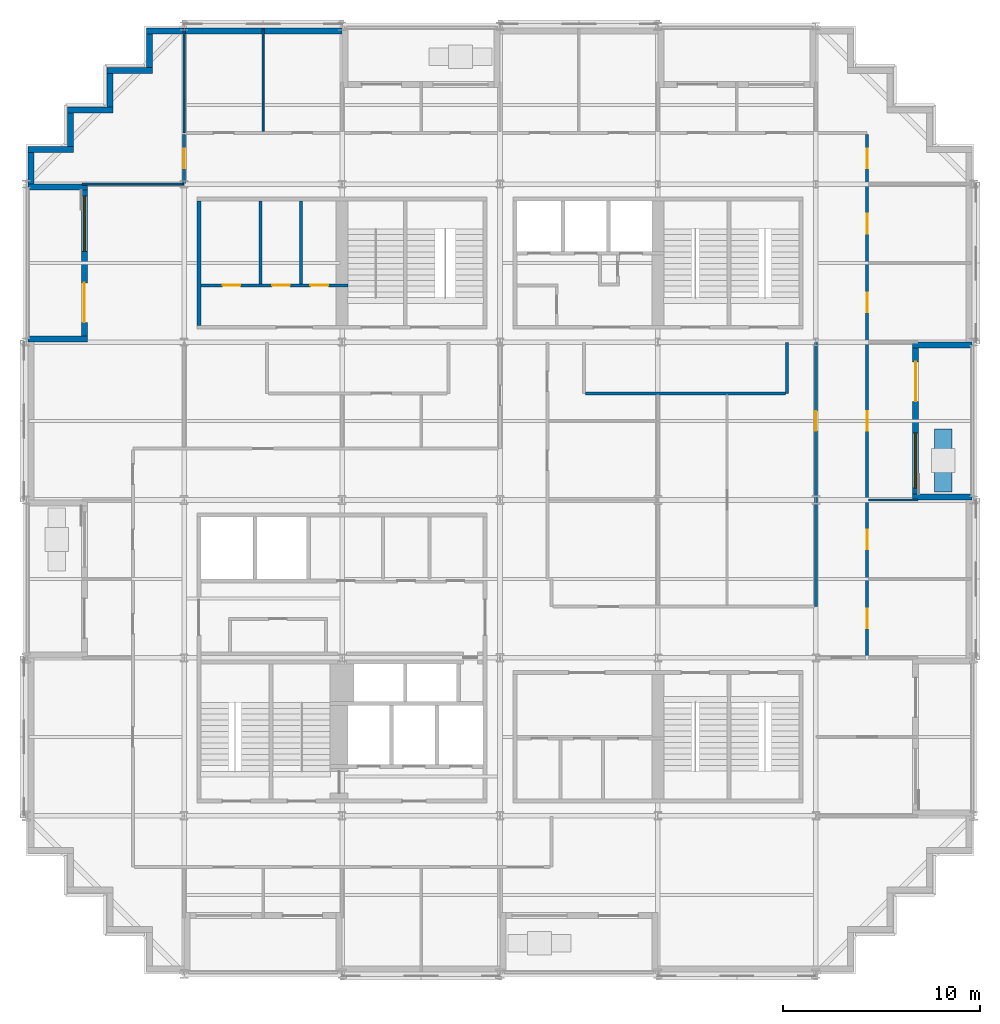
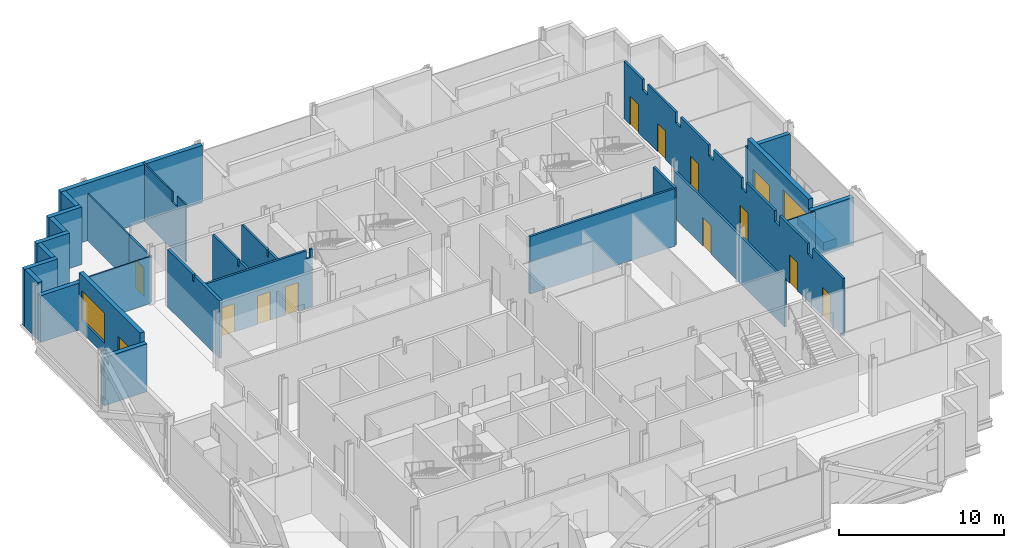
# One storey, part 9 of 15: 28 walls, 13 doors, 2 windows, 15 openings.
"""IFC4 building model written with IfcOpenShell, lengths in metres."""

from ifc_helpers import new_model, si_unit, direction, frame, frame_2d, origin, place, context, subcontext, project, spatial, polyline, rectangle, outline, extrude, material, layer, layer_set, type_object, element, fill, save


model = new_model("IFC4")

# Units and contexts
model_context = context("Model", 3, precision=1e-05, world=origin(), true_north=direction((0.0, 1.0)))
body_context = subcontext(model_context, "Body", "Model", "MODEL_VIEW")
ifc_project = project(units=[si_unit("LENGTHUNIT", "METRE"), si_unit("AREAUNIT", "SQUARE_METRE"), si_unit("VOLUMEUNIT", "CUBIC_METRE"), si_unit("PLANEANGLEUNIT", "RADIAN"), si_unit("MASSUNIT", "GRAM", prefix="KILO")], contexts=[model_context])

# Site, building, storey
site_placement = place(None, origin())
site = spatial("IfcSite", under=ifc_project, at=site_placement, CompositionType="ELEMENT")
building_placement = place(site_placement, origin())
building = spatial("IfcBuilding", under=site, at=building_placement, Name="Immortelle Media Tower", CompositionType="ELEMENT")
storey_placement = place(building_placement, frame((0.0, 0.0, 105.199951171875)))
storey = spatial("IfcBuildingStorey", under=building, at=storey_placement, Name="L20", CompositionType="ELEMENT", Elevation=105.199951171875)

# Wall, openings, doors
ifc_material_1 = material(Name="Fire-rated gypsum board", Category="gypsum")
ifc_layer_1 = layer(ifc_material_1, 0.02490234375)
ifc_material_2 = material(Name="Steel ASTM A653 SS Gr 50 stud frame with mineral wool", Category="steel")
ifc_layer_2 = layer(ifc_material_2, 0.10009765625)
ifc_layer_3 = layer(ifc_material_1, 0.02490234375)
ifc_layer_set_1 = layer_set([ifc_layer_1, ifc_layer_2, ifc_layer_3], Name="Steel ASTM A653 SS Gr 50 stud frame with mineral wool")
wall_type_1 = type_object("IfcWallType", Name="Core partition 150", PredefinedType="PARTITIONING", material=ifc_layer_set_1)
wall_1_placement = place(storey_placement, frame((8.85009765625, 34.875, 0.0), z_axis=(0.0, 0.0, 1.0), x_axis=(1.0, 0.0, 0.0)))
wall_1 = element("IfcWall", 1, at=wall_1_placement, inside=storey, type_object=wall_type_1, Name="Core partition NW", PredefinedType="PARTITIONING", context=body_context, shape_type="SweptSolid", body=[
    extrude(outline(polyline([(0.0, 0.0), (7.449951171875, 0.0), (7.449951171875, 4.25), (7.26953125, 4.25), (7.2685546875, 3.632080078125), (7.031494140625, 3.632080078125), (7.030517578125, 4.25), (0.0, 4.25), (0.0, 0.0)])), frame((0.0, 0.074951171875, 0.0), z_axis=(0.0, -1.0, 0.0), x_axis=(1.0, 0.0, 0.0)), (0.0, 0.0, 1.0), 0.14990234375),
])
opening_1_placement = place(wall_1_placement, frame((1.10009765625, 0.0, 0.0)))
opening_1 = element("IfcOpeningElement", 2, at=opening_1_placement, cuts=wall_1, Name="Opening N7-K021", PredefinedType="OPENING", context=body_context, shape_type="SweptSolid", body=[
    extrude(rectangle(XDim=0.89990234375, YDim=2.10009765625, at=frame_2d((0.449951171875, 1.050048828125))), frame((0.0, 0.0849609375, 0.0), z_axis=(0.0, -1.0, 0.0), x_axis=(1.0, 0.0, 0.0)), (0.0, 0.0, 1.0), 0.169921875),
])
opening_2_placement = place(wall_1_placement, frame((3.60009765625, 0.0, 0.0)))
opening_2 = element("IfcOpeningElement", 3, at=opening_2_placement, cuts=wall_1, Name="Opening N7-K022", PredefinedType="OPENING", context=body_context, shape_type="SweptSolid", body=[
    extrude(rectangle(XDim=0.89990234375, YDim=2.10009765625, at=frame_2d((0.449951171875, 1.050048828125))), frame((0.0, 0.0849609375, 0.0), z_axis=(0.0, -1.0, 0.0), x_axis=(1.0, 0.0, 0.0)), (0.0, 0.0, 1.0), 0.169921875),
])
opening_3_placement = place(wall_1_placement, frame((5.550048828125, 0.0, 0.0)))
opening_3 = element("IfcOpeningElement", 4, at=opening_3_placement, cuts=wall_1, Name="Opening N7-K024", PredefinedType="OPENING", context=body_context, shape_type="SweptSolid", body=[
    extrude(rectangle(XDim=0.89990234375, YDim=2.10009765625, at=frame_2d((0.449951171875, 1.050048828125))), frame((0.0, 0.0849609375, 0.0), z_axis=(0.0, -1.0, 0.0), x_axis=(1.0, 0.0, 0.0)), (0.0, 0.0, 1.0), 0.169921875),
])
ifc_material_3 = material(Name="Timber", Category="wood")
door_type_1 = type_object("IfcDoorType", Name="Room door 900 x 2100", OperationType="NOTDEFINED", PredefinedType="NOTDEFINED", material=ifc_material_3)
door_1_placement = place(opening_1_placement, origin())
door_1 = element("IfcDoor", 5, at=door_1_placement, inside=storey, type_object=door_type_1, Name="Room N7-K021", OperationType="SINGLE_SWING_LEFT", OverallHeight=2.10009765625, OverallWidth=0.89990234375, PredefinedType="NOTDEFINED", context=body_context, shape_type="SweptSolid", body=[
    extrude(rectangle(XDim=0.89990234375, YDim=2.10009765625, at=frame_2d((0.449951171875, 1.050048828125))), frame((0.0, 0.02490234375, 0.0), z_axis=(0.0, -1.0, 0.0), x_axis=(1.0, 0.0, 0.0)), (0.0, 0.0, 1.0), 0.050048828125),
])
fill(opening_1, door_1)
door_2_placement = place(opening_2_placement, origin())
door_2 = element("IfcDoor", 6, at=door_2_placement, inside=storey, type_object=door_type_1, Name="Room N7-K022", OperationType="SINGLE_SWING_RIGHT", OverallHeight=2.10009765625, OverallWidth=0.89990234375, PredefinedType="NOTDEFINED", context=body_context, shape_type="SweptSolid", body=[
    extrude(rectangle(XDim=0.89990234375, YDim=2.10009765625, at=frame_2d((0.449951171875, 1.050048828125))), frame((0.0, 0.02490234375, 0.0), z_axis=(0.0, -1.0, 0.0), x_axis=(1.0, 0.0, 0.0)), (0.0, 0.0, 1.0), 0.050048828125),
])
fill(opening_2, door_2)
ifc_material_4 = material(Name="Galvanised steel door leaf and frame ASTM A653", Category="steel")
door_type_2 = type_object("IfcDoorType", Name="Service door 900 x 2100", OperationType="NOTDEFINED", PredefinedType="NOTDEFINED", material=ifc_material_4)
door_3_placement = place(opening_3_placement, origin())
door_3 = element("IfcDoor", 7, at=door_3_placement, inside=storey, type_object=door_type_2, Name="Service N7-K024", OperationType="SINGLE_SWING_LEFT", OverallHeight=2.10009765625, OverallWidth=0.89990234375, PredefinedType="NOTDEFINED", context=body_context, shape_type="SweptSolid", body=[
    extrude(rectangle(XDim=0.89990234375, YDim=2.10009765625, at=frame_2d((0.449951171875, 1.050048828125))), frame((0.0, 0.02490234375, 0.0), z_axis=(0.0, -1.0, 0.0), x_axis=(1.0, 0.0, 0.0)), (0.0, 0.0, 1.0), 0.050048828125),
])
fill(opening_3, door_3)

# Walls
for number, where, z_axis, x_axis, name in (
    (8, (11.875, 34.949951171875, 0.0), (0.0, 0.0, 1.0), (0.0, 1.0, 0.0), "Core partition NW"),
    (9, (13.925048828125, 34.949951171875, 0.0), (0.0, 0.0, 1.0), (0.0, 1.0, 0.0), "Core partition NW"),
):
    element("IfcWall", number, at=place(storey_placement, frame(where, z_axis=z_axis, x_axis=x_axis)), inside=storey, type_object=wall_type_1, Name=name, PredefinedType="PARTITIONING", context=body_context, shape_type="SweptSolid", body=[
        extrude(outline(polyline([(0.0, 0.0), (4.199951171875, 0.0), (4.199951171875, 4.25), (1.131591796875, 4.25), (1.130615234375, 3.7890625), (0.969482421875, 3.7890625), (0.968505859375, 4.25), (0.0, 4.25), (0.0, 0.0)])), frame((0.0, 0.074951171875, 0.0), z_axis=(0.0, -1.0, 0.0), x_axis=(1.0, 0.0, 0.0)), (0.0, 0.0, 1.0), 0.14990234375),
    ])
ifc_layer_4 = layer(ifc_material_1, 0.03759765625)
ifc_layer_5 = layer(ifc_material_2, 0.125)
ifc_layer_6 = layer(ifc_material_1, 0.03759765625)
ifc_layer_set_2 = layer_set([ifc_layer_4, ifc_layer_5, ifc_layer_6], Name="Steel ASTM A653 SS Gr 50 stud frame with mineral wool")
wall_type_2 = type_object("IfcWallType", Name="Core shaft wall 200", PredefinedType="PARTITIONING", material=ifc_layer_set_2)
wall_2_placement = place(storey_placement, frame((8.75, 32.85009765625, 0.0), z_axis=(0.0, 0.0, 1.0), x_axis=(0.0, 1.0, 0.0)))
element("IfcWall", 10, at=wall_2_placement, inside=storey, type_object=wall_type_2, Name="Core shaft wall NW", PredefinedType="PARTITIONING", context=body_context, shape_type="SweptSolid", body=[
    extrude(outline(polyline([(0.0, 0.0), (6.2998046875, 0.0), (6.300048828125, 4.25), (3.2314453125, 4.25), (3.23046875, 3.7890625), (3.069580078125, 3.7890625), (3.068603515625, 4.25), (0.0, 4.25), (0.0, 0.0)])), frame((0.0, 0.10009765625, 0.0), z_axis=(0.0, -1.0, 0.0), x_axis=(1.0, 0.0, 0.0)), (0.0, 0.0, 1.0), 0.199951171875),
])

# Wall, openings, doors
ifc_layer_7 = layer(ifc_material_1, 0.012451171875)
ifc_layer_8 = layer(ifc_material_2, 0.125)
ifc_layer_9 = layer(ifc_material_1, 0.012451171875)
ifc_layer_set_3 = layer_set([ifc_layer_7, ifc_layer_8, ifc_layer_9], Name="Steel ASTM A653 SS Gr 50 stud frame with mineral wool")
wall_type_3 = type_object("IfcWallType", Name="Corridor wall 150", PredefinedType="PARTITIONING", material=ifc_layer_set_3)
wall_3_placement = place(storey_placement, frame((42.60009765625, 16.0, 0.0), z_axis=(0.0, 0.0, 1.0), x_axis=(0.0, 1.0, 0.0)))
wall_3 = element("IfcWall", 11, at=wall_3_placement, inside=storey, type_object=wall_type_3, Name="Partition L20-014", PredefinedType="PARTITIONING", context=body_context, shape_type="SweptSolid", body=[
    extrude(outline(polyline([(0.0, 0.0), (26.52490234375, 0.0), (26.52490234375, 4.25), (24.300048828125, 4.25), (24.298095703125, 3.469970703125), (23.701904296875, 3.469970703125), (23.699951171875, 4.25), (20.300048828125, 4.25), (20.298095703125, 3.469970703125), (19.701904296875, 3.469970703125), (19.699951171875, 4.25), (16.300048828125, 4.25), (16.298095703125, 3.469970703125), (15.701904296875, 3.469970703125), (15.699951171875, 4.25), (12.300048828125, 4.25), (12.298095703125, 3.469970703125), (11.701904296875, 3.469970703125), (11.699951171875, 4.25), (8.300048828125, 4.25), (8.298095703125, 3.469970703125), (7.701904296875, 3.469970703125), (7.699951171875, 4.25), (4.300048828125, 4.25), (4.298095703125, 3.469970703125), (3.701904296875, 3.469970703125), (3.699951171875, 4.25), (0.0, 4.25), (0.0, 0.0)])), frame((0.0, 0.074951171875, 0.0), z_axis=(0.0, -1.0, 0.0), x_axis=(1.0, 0.0, 0.0)), (0.0, 0.0, 1.0), 0.14990234375),
])
opening_4_placement = place(wall_3_placement, frame((2.5, 0.0, 0.0), z_axis=(0.0, 0.0, 1.0), x_axis=(-1.0, 0.0, 0.0)))
opening_4 = element("IfcOpeningElement", 12, at=opening_4_placement, cuts=wall_3, Name="Opening N7-F011", PredefinedType="OPENING", context=body_context, shape_type="SweptSolid", body=[
    extrude(rectangle(XDim=1.0, YDim=2.10009765625, at=frame_2d((0.5, 1.050048828125))), frame((0.0, 0.0849609375, 0.0), z_axis=(0.0, -1.0, 0.0), x_axis=(1.0, 0.0, 0.0)), (0.0, 0.0, 1.0), 0.169921875),
])
opening_5_placement = place(wall_3_placement, frame((6.5, 0.0, 0.0), z_axis=(0.0, 0.0, 1.0), x_axis=(-1.0, 0.0, 0.0)))
opening_5 = element("IfcOpeningElement", 13, at=opening_5_placement, cuts=wall_3, Name="Opening N7-F012", PredefinedType="OPENING", context=body_context, shape_type="SweptSolid", body=[
    extrude(rectangle(XDim=1.0, YDim=2.10009765625, at=frame_2d((0.5, 1.050048828125))), frame((0.0, 0.0849609375, 0.0), z_axis=(0.0, -1.0, 0.0), x_axis=(1.0, 0.0, 0.0)), (0.0, 0.0, 1.0), 0.169921875),
])
opening_6_placement = place(wall_3_placement, frame((12.5, 0.0, 0.0), z_axis=(0.0, 0.0, 1.0), x_axis=(-1.0, 0.0, 0.0)))
opening_6 = element("IfcOpeningElement", 14, at=opening_6_placement, cuts=wall_3, Name="Opening N7-F018", PredefinedType="OPENING", context=body_context, shape_type="SweptSolid", body=[
    extrude(rectangle(XDim=1.0, YDim=2.10009765625, at=frame_2d((0.5, 1.050048828125))), frame((0.0, 0.0849609375, 0.0), z_axis=(0.0, -1.0, 0.0), x_axis=(1.0, 0.0, 0.0)), (0.0, 0.0, 1.0), 0.169921875),
])
opening_7_placement = place(wall_3_placement, frame((18.5, 0.0, 0.0), z_axis=(0.0, 0.0, 1.0), x_axis=(-1.0, 0.0, 0.0)))
opening_7 = element("IfcOpeningElement", 15, at=opening_7_placement, cuts=wall_3, Name="Opening N7-F023", PredefinedType="OPENING", context=body_context, shape_type="SweptSolid", body=[
    extrude(rectangle(XDim=1.0, YDim=2.10009765625, at=frame_2d((0.5, 1.050048828125))), frame((0.0, 0.0849609375, 0.0), z_axis=(0.0, -1.0, 0.0), x_axis=(1.0, 0.0, 0.0)), (0.0, 0.0, 1.0), 0.169921875),
])
opening_8_placement = place(wall_3_placement, frame((22.5, 0.0, 0.0), z_axis=(0.0, 0.0, 1.0), x_axis=(-1.0, 0.0, 0.0)))
opening_8 = element("IfcOpeningElement", 16, at=opening_8_placement, cuts=wall_3, Name="Opening N7-F024", PredefinedType="OPENING", context=body_context, shape_type="SweptSolid", body=[
    extrude(rectangle(XDim=1.0, YDim=2.10009765625, at=frame_2d((0.5, 1.050048828125))), frame((0.0, 0.0849609375, 0.0), z_axis=(0.0, -1.0, 0.0), x_axis=(1.0, 0.0, 0.0)), (0.0, 0.0, 1.0), 0.169921875),
])
opening_9_placement = place(wall_3_placement, frame((25.800048828125, 0.0, 0.0), z_axis=(0.0, 0.0, 1.0), x_axis=(-1.0, 0.0, 0.0)))
opening_9 = element("IfcOpeningElement", 17, at=opening_9_placement, cuts=wall_3, Name="Opening N7-F026", PredefinedType="OPENING", context=body_context, shape_type="SweptSolid", body=[
    extrude(rectangle(XDim=1.0, YDim=2.10009765625, at=frame_2d((0.5, 1.050048828125))), frame((0.0, 0.0849609375, 0.0), z_axis=(0.0, -1.0, 0.0), x_axis=(1.0, 0.0, 0.0)), (0.0, 0.0, 1.0), 0.169921875),
])
ifc_material_5 = material(Name="Timber veneered door leaf, galvanised steel frame ASTM A653", Category="steel")
door_type_3 = type_object("IfcDoorType", Name="Room door 1000 x 2100", OperationType="NOTDEFINED", PredefinedType="DOOR", material=ifc_material_5)
door_4_placement = place(opening_4_placement, origin())
door_4 = element("IfcDoor", 18, at=door_4_placement, inside=storey, type_object=door_type_3, Name="Door N7-F011", OperationType="SINGLE_SWING_LEFT", OverallHeight=2.10009765625, OverallWidth=1.0, PredefinedType="DOOR", context=body_context, shape_type="SweptSolid", body=[
    extrude(rectangle(XDim=1.0, YDim=2.10009765625, at=frame_2d((0.5, 1.050048828125))), frame((0.0, 0.02490234375, 0.0), z_axis=(0.0, -1.0, 0.0), x_axis=(1.0, 0.0, 0.0)), (0.0, 0.0, 1.0), 0.050048828125),
])
fill(opening_4, door_4)
door_5_placement = place(opening_5_placement, origin())
door_5 = element("IfcDoor", 19, at=door_5_placement, inside=storey, type_object=door_type_3, Name="Door N7-F012", OperationType="SINGLE_SWING_LEFT", OverallHeight=2.10009765625, OverallWidth=1.0, PredefinedType="DOOR", context=body_context, shape_type="SweptSolid", body=[
    extrude(rectangle(XDim=1.0, YDim=2.10009765625, at=frame_2d((0.5, 1.050048828125))), frame((0.0, 0.02490234375, 0.0), z_axis=(0.0, -1.0, 0.0), x_axis=(1.0, 0.0, 0.0)), (0.0, 0.0, 1.0), 0.050048828125),
])
fill(opening_5, door_5)
door_6_placement = place(opening_6_placement, origin())
door_6 = element("IfcDoor", 20, at=door_6_placement, inside=storey, type_object=door_type_3, Name="Door N7-F018", OperationType="SINGLE_SWING_LEFT", OverallHeight=2.10009765625, OverallWidth=1.0, PredefinedType="DOOR", context=body_context, shape_type="SweptSolid", body=[
    extrude(rectangle(XDim=1.0, YDim=2.10009765625, at=frame_2d((0.5, 1.050048828125))), frame((0.0, 0.02490234375, 0.0), z_axis=(0.0, -1.0, 0.0), x_axis=(1.0, 0.0, 0.0)), (0.0, 0.0, 1.0), 0.050048828125),
])
fill(opening_6, door_6)
door_7_placement = place(opening_7_placement, origin())
door_7 = element("IfcDoor", 21, at=door_7_placement, inside=storey, type_object=door_type_3, Name="Door N7-F023", OperationType="SINGLE_SWING_RIGHT", OverallHeight=2.10009765625, OverallWidth=1.0, PredefinedType="DOOR", context=body_context, shape_type="SweptSolid", body=[
    extrude(rectangle(XDim=1.0, YDim=2.10009765625, at=frame_2d((0.5, 1.050048828125))), frame((0.0, 0.02490234375, 0.0), z_axis=(0.0, -1.0, 0.0), x_axis=(1.0, 0.0, 0.0)), (0.0, 0.0, 1.0), 0.050048828125),
])
fill(opening_7, door_7)
door_8_placement = place(opening_8_placement, origin())
door_8 = element("IfcDoor", 22, at=door_8_placement, inside=storey, type_object=door_type_3, Name="Door N7-F024", OperationType="SINGLE_SWING_LEFT", OverallHeight=2.10009765625, OverallWidth=1.0, PredefinedType="DOOR", context=body_context, shape_type="SweptSolid", body=[
    extrude(rectangle(XDim=1.0, YDim=2.10009765625, at=frame_2d((0.5, 1.050048828125))), frame((0.0, 0.02490234375, 0.0), z_axis=(0.0, -1.0, 0.0), x_axis=(1.0, 0.0, 0.0)), (0.0, 0.0, 1.0), 0.050048828125),
])
fill(opening_8, door_8)
door_9_placement = place(opening_9_placement, origin())
door_9 = element("IfcDoor", 23, at=door_9_placement, inside=storey, type_object=door_type_3, Name="Door N7-F026", OperationType="SINGLE_SWING_RIGHT", OverallHeight=2.10009765625, OverallWidth=1.0, PredefinedType="DOOR", context=body_context, shape_type="SweptSolid", body=[
    extrude(rectangle(XDim=1.0, YDim=2.10009765625, at=frame_2d((0.5, 1.050048828125))), frame((0.0, 0.02490234375, 0.0), z_axis=(0.0, -1.0, 0.0), x_axis=(1.0, 0.0, 0.0)), (0.0, 0.0, 1.0), 0.050048828125),
])
fill(opening_9, door_9)

# Wall, opening, door
wall_4_placement = place(storey_placement, frame((40.0, 18.60009765625, 0.0), z_axis=(0.0, 0.0, 1.0), x_axis=(0.0, 1.0, 0.0)))
wall_4 = element("IfcWall", 24, at=wall_4_placement, inside=storey, type_object=wall_type_3, Name="Partition L20-019", PredefinedType="PARTITIONING", context=body_context, shape_type="SweptSolid", body=[
    extrude(rectangle(XDim=13.369873046875, YDim=0.14990234375, at=frame_2d((6.68505859375, 0.0))), origin(), (0.0, 0.0, 1.0), 3.469970703125),
])
opening_10_placement = place(wall_4_placement, frame((8.89990234375, 0.0, 0.0)))
opening_10 = element("IfcOpeningElement", 25, at=opening_10_placement, cuts=wall_4, Name="Opening N7-F014", PredefinedType="OPENING", context=body_context, shape_type="SweptSolid", body=[
    extrude(rectangle(XDim=1.0, YDim=2.10009765625, at=frame_2d((0.5, 1.050048828125))), frame((0.0, 0.0849609375, 0.0), z_axis=(0.0, -1.0, 0.0), x_axis=(1.0, 0.0, 0.0)), (0.0, 0.0, 1.0), 0.169921875),
])
door_10_placement = place(opening_10_placement, origin())
door_10 = element("IfcDoor", 26, at=door_10_placement, inside=storey, type_object=door_type_3, Name="Door N7-F014", OperationType="SINGLE_SWING_RIGHT", OverallHeight=2.10009765625, OverallWidth=1.0, PredefinedType="DOOR", context=body_context, shape_type="SweptSolid", body=[
    extrude(rectangle(XDim=1.0, YDim=2.10009765625, at=frame_2d((0.5, 1.050048828125))), frame((0.0, 0.02490234375, 0.0), z_axis=(0.0, -1.0, 0.0), x_axis=(1.0, 0.0, 0.0)), (0.0, 0.0, 1.0), 0.050048828125),
])
fill(opening_10, door_10)

# Walls
wall_5_placement = place(storey_placement, frame((28.324951171875, 29.39990234375, 0.0), z_axis=(0.0, 0.0, 1.0), x_axis=(1.0, 0.0, 0.0)))
element("IfcWall", 27, at=wall_5_placement, inside=storey, type_object=wall_type_3, Name="Partition L20-037", PredefinedType="PARTITIONING", context=body_context, shape_type="SweptSolid", body=[
    extrude(rectangle(XDim=10.150146484375, YDim=0.14990234375, at=frame_2d((5.0751953125, 0.0))), origin(), (0.0, 0.0, 1.0), 4.25),
])
wall_6_placement = place(storey_placement, frame((38.550048828125, 29.39990234375, 0.0), z_axis=(0.0, 0.0, 1.0), x_axis=(0.0, 1.0, 0.0)))
element("IfcWall", 28, at=wall_6_placement, inside=storey, type_object=wall_type_3, Name="Partition L20-039", PredefinedType="PARTITIONING", context=body_context, shape_type="SweptSolid", body=[
    extrude(rectangle(XDim=2.570068359375, YDim=0.14990234375, at=frame_2d((1.28515625, 0.0))), origin(), (0.0, 0.0, 1.0), 4.25),
])

# Wall, opening, door
wall_7_placement = place(storey_placement, frame((8.0, 40.030029296875, 0.0), z_axis=(0.0, 0.0, 1.0), x_axis=(0.0, 1.0, 0.0)))
wall_7 = element("IfcWall", 29, at=wall_7_placement, inside=storey, type_object=wall_type_3, Name="Partition L20-044", PredefinedType="PARTITIONING", context=body_context, shape_type="SweptSolid", body=[
    extrude(rectangle(XDim=2.494873046875, YDim=0.14990234375, at=frame_2d((1.24755859375, 0.0))), origin(), (0.0, 0.0, 1.0), 3.469970703125),
])
opening_11_placement = place(wall_7_placement, frame((0.77001953125, 0.0, 0.0)))
opening_11 = element("IfcOpeningElement", 30, at=opening_11_placement, cuts=wall_7, Name="Opening N7-F025", PredefinedType="OPENING", context=body_context, shape_type="SweptSolid", body=[
    extrude(rectangle(XDim=1.0, YDim=2.10009765625, at=frame_2d((0.5, 1.050048828125))), frame((0.0, 0.0849609375, 0.0), z_axis=(0.0, -1.0, 0.0), x_axis=(1.0, 0.0, 0.0)), (0.0, 0.0, 1.0), 0.169921875),
])
door_11_placement = place(opening_11_placement, origin())
door_11 = element("IfcDoor", 31, at=door_11_placement, inside=storey, type_object=door_type_3, Name="Door N7-F025", OperationType="SINGLE_SWING_LEFT", OverallHeight=2.10009765625, OverallWidth=1.0, PredefinedType="DOOR", context=body_context, shape_type="SweptSolid", body=[
    extrude(rectangle(XDim=1.0, YDim=2.10009765625, at=frame_2d((0.5, 1.050048828125))), frame((0.0, 0.02490234375, 0.0), z_axis=(0.0, -1.0, 0.0), x_axis=(1.0, 0.0, 0.0)), (0.0, 0.0, 1.0), 0.050048828125),
])
fill(opening_11, door_11)

# Wall
ifc_material_6 = material(Name="Pale aluminium cladding panel", Category="aluminium")
ifc_layer_10 = layer(ifc_material_6, 0.030029296875)
ifc_layer_11 = layer(ifc_material_2, 0.257568359375)
ifc_material_7 = material(Name="Moisture-resistant gypsum board", Category="gypsum")
ifc_layer_12 = layer(ifc_material_7, 0.012451171875)
ifc_layer_set_4 = layer_set([ifc_layer_10, ifc_layer_11, ifc_layer_12], Name="Steel ASTM A653 SS Gr 50 stud frame with mineral wool")
wall_type_4 = type_object("IfcWallType", Name="Facade wall 300", PredefinedType="SOLIDWALL", material=ifc_layer_set_4)
wall_8_placement = place(storey_placement, frame((0.25, 41.60009765625, 0.0), z_axis=(0.0, 0.0, 1.0), x_axis=(0.0, -1.0, 0.0)))
element("IfcWall", 32, at=wall_8_placement, inside=storey, type_object=wall_type_4, Name="Facade wall L20 W0", PredefinedType="SOLIDWALL", context=body_context, shape_type="SweptSolid", body=[
    extrude(rectangle(XDim=1.60009765625, YDim=0.300048828125, at=frame_2d((0.800048828125, 0.0))), origin(), (0.0, 0.0, 1.0), 4.25),
])

# Wall, openings, door, window
wall_9_placement = place(storey_placement, frame((2.949951171875, 39.699951171875, 0.0), z_axis=(0.0, 0.0, 1.0), x_axis=(0.0, -1.0, 0.0)))
wall_9 = element("IfcWall", 33, at=wall_9_placement, inside=storey, type_object=wall_type_4, Name="Loggia wall L20 W0", PredefinedType="SOLIDWALL", context=body_context, shape_type="SweptSolid", body=[
    extrude(rectangle(XDim=7.39990234375, YDim=0.300048828125, at=frame_2d((3.699951171875, 0.0))), origin(), (0.0, 0.0, 1.0), 4.25),
])
opening_12_placement = place(wall_9_placement, frame((0.300048828125, 0.0, 0.89990234375)))
opening_12 = element("IfcOpeningElement", 34, at=opening_12_placement, cuts=wall_9, Name="Opening W1", PredefinedType="OPENING", context=body_context, shape_type="SweptSolid", body=[
    extrude(rectangle(XDim=2.800048828125, YDim=2.199951171875, at=frame_2d((1.39990234375, 1.10009765625))), frame((0.0, 0.159912109375, 0.0), z_axis=(0.0, -1.0, 0.0), x_axis=(1.0, 0.0, 0.0)), (0.0, 0.0, 1.0), 0.320068359375),
])
opening_13_placement = place(wall_9_placement, frame((4.699951171875, 0.0, 0.0)))
opening_13 = element("IfcOpeningElement", 35, at=opening_13_placement, cuts=wall_9, Name="Opening N7-E001", PredefinedType="OPENING", context=body_context, shape_type="SweptSolid", body=[
    extrude(rectangle(XDim=2.0, YDim=2.39990234375, at=frame_2d((1.0, 1.199951171875))), frame((0.0, 0.159912109375, 0.0), z_axis=(0.0, -1.0, 0.0), x_axis=(1.0, 0.0, 0.0)), (0.0, 0.0, 1.0), 0.320068359375),
])
ifc_material_8 = material(Name="Aluminium frame, glazed leaves", Category="aluminium")
door_type_4 = type_object("IfcDoorType", Name="Loggia door 2000 x 2400", OperationType="DOUBLE_DOOR_SINGLE_SWING", PredefinedType="DOOR", material=ifc_material_8)
door_12_placement = place(opening_13_placement, origin())
door_12 = element("IfcDoor", 36, at=door_12_placement, inside=storey, type_object=door_type_4, Name="Door N7-E001", OperationType="DOUBLE_DOOR_SINGLE_SWING", OverallHeight=2.39990234375, OverallWidth=2.0, PredefinedType="DOOR", context=body_context, shape_type="SweptSolid", body=[
    extrude(rectangle(XDim=2.0, YDim=2.39990234375, at=frame_2d((1.0, 1.199951171875))), frame((0.0, 0.02490234375, 0.0), z_axis=(0.0, -1.0, 0.0), x_axis=(1.0, 0.0, 0.0)), (0.0, 0.0, 1.0), 0.050048828125),
])
fill(opening_13, door_12)
ifc_material_9 = material(Name="Aluminium frame", Category="aluminium")
window_type = type_object("IfcWindowType", Name="Window 2800 x 2200", PartitioningType="SINGLE_PANEL", PredefinedType="WINDOW", material=ifc_material_9)
window_1_placement = place(opening_12_placement, origin())
window_1 = element("IfcWindow", 37, at=window_1_placement, inside=storey, type_object=window_type, Name="Window L20 L20-R0-B0", OverallHeight=2.199951171875, OverallWidth=2.800048828125, PartitioningType="SINGLE_PANEL", PredefinedType="WINDOW", context=body_context, shape_type="SweptSolid", body=[
    extrude(rectangle(XDim=2.800048828125, YDim=2.199951171875, at=frame_2d((1.39990234375, 1.10009765625))), frame((0.0, 0.030029296875, 0.0), z_axis=(0.0, -1.0, 0.0), x_axis=(1.0, 0.0, 0.0)), (0.0, 0.0, 1.0), 0.06005859375),
])
fill(opening_12, window_1)

# Walls
wall_10_placement = place(storey_placement, frame((0.10009765625, 39.85009765625, 0.0), z_axis=(0.0, 0.0, 1.0), x_axis=(1.0, 0.0, 0.0)))
element("IfcWall", 38, at=wall_10_placement, inside=storey, type_object=wall_type_4, Name="Loggia cheek wall L20 W", PredefinedType="SOLIDWALL", context=body_context, shape_type="SweptSolid", body=[
    extrude(rectangle(XDim=3.0, YDim=0.300048828125, at=frame_2d((1.5, 0.0))), origin(), (0.0, 0.0, 1.0), 3.468994140625),
])
wall_11_placement = place(storey_placement, frame((0.10009765625, 32.14990234375, 0.0), z_axis=(0.0, 0.0, 1.0), x_axis=(1.0, 0.0, 0.0)))
element("IfcWall", 39, at=wall_11_placement, inside=storey, type_object=wall_type_4, Name="Loggia cheek wall L20 W", PredefinedType="SOLIDWALL", context=body_context, shape_type="SweptSolid", body=[
    extrude(rectangle(XDim=3.0, YDim=0.300048828125, at=frame_2d((1.5, 0.0))), origin(), (0.0, 0.0, 1.0), 3.55615234375),
])

# Wall, openings, door, window
wall_12_placement = place(storey_placement, frame((45.050048828125, 24.300048828125, 0.0), z_axis=(0.0, 0.0, 1.0), x_axis=(0.0, 1.0, 0.0)))
wall_12 = element("IfcWall", 40, at=wall_12_placement, inside=storey, type_object=wall_type_4, Name="Loggia wall L20 E14", PredefinedType="SOLIDWALL", context=body_context, shape_type="SweptSolid", body=[
    extrude(rectangle(XDim=7.39990234375, YDim=0.300048828125, at=frame_2d((3.699951171875, 0.0))), origin(), (0.0, 0.0, 1.0), 4.25),
])
opening_14_placement = place(wall_12_placement, frame((0.300048828125, 0.0, 0.89990234375)))
opening_14 = element("IfcOpeningElement", 41, at=opening_14_placement, cuts=wall_12, Name="Opening W1", PredefinedType="OPENING", context=body_context, shape_type="SweptSolid", body=[
    extrude(rectangle(XDim=2.800048828125, YDim=2.199951171875, at=frame_2d((1.39990234375, 1.10009765625))), frame((0.0, 0.159912109375, 0.0), z_axis=(0.0, -1.0, 0.0), x_axis=(1.0, 0.0, 0.0)), (0.0, 0.0, 1.0), 0.320068359375),
])
opening_15_placement = place(wall_12_placement, frame((4.699951171875, 0.0, 0.0)))
opening_15 = element("IfcOpeningElement", 42, at=opening_15_placement, cuts=wall_12, Name="Opening N7-E006", PredefinedType="OPENING", context=body_context, shape_type="SweptSolid", body=[
    extrude(rectangle(XDim=2.0, YDim=2.39990234375, at=frame_2d((1.0, 1.199951171875))), frame((0.0, 0.159912109375, 0.0), z_axis=(0.0, -1.0, 0.0), x_axis=(1.0, 0.0, 0.0)), (0.0, 0.0, 1.0), 0.320068359375),
])
door_13_placement = place(opening_15_placement, origin())
door_13 = element("IfcDoor", 43, at=door_13_placement, inside=storey, type_object=door_type_4, Name="Door N7-E006", OperationType="DOUBLE_DOOR_SINGLE_SWING", OverallHeight=2.39990234375, OverallWidth=2.0, PredefinedType="DOOR", context=body_context, shape_type="SweptSolid", body=[
    extrude(rectangle(XDim=2.0, YDim=2.39990234375, at=frame_2d((1.0, 1.199951171875))), frame((0.0, 0.02490234375, 0.0), z_axis=(0.0, -1.0, 0.0), x_axis=(1.0, 0.0, 0.0)), (0.0, 0.0, 1.0), 0.050048828125),
])
fill(opening_15, door_13)
window_2_placement = place(opening_14_placement, origin())
window_2 = element("IfcWindow", 44, at=window_2_placement, inside=storey, type_object=window_type, Name="Window L20 L20-R14-B2", OverallHeight=2.199951171875, OverallWidth=2.800048828125, PartitioningType="SINGLE_PANEL", PredefinedType="WINDOW", context=body_context, shape_type="SweptSolid", body=[
    extrude(rectangle(XDim=2.800048828125, YDim=2.199951171875, at=frame_2d((1.39990234375, 1.10009765625))), frame((0.0, 0.030029296875, 0.0), z_axis=(0.0, -1.0, 0.0), x_axis=(1.0, 0.0, 0.0)), (0.0, 0.0, 1.0), 0.06005859375),
])
fill(opening_14, window_2)

# Walls
for number, where, z_axis, x_axis, name in (
    (45, (47.89990234375, 24.14990234375, 0.0), (0.0, 0.0, 1.0), (-1.0, 0.0, 0.0), "Loggia cheek wall L20 E"),
    (46, (47.89990234375, 31.85009765625, 0.0), (0.0, 0.0, 1.0), (-1.0, 0.0, 0.0), "Loggia cheek wall L20 E"),
):
    element("IfcWall", number, at=place(storey_placement, frame(where, z_axis=z_axis, x_axis=x_axis)), inside=storey, type_object=wall_type_4, Name=name, PredefinedType="SOLIDWALL", context=body_context, shape_type="SweptSolid", body=[
        extrude(rectangle(XDim=3.0, YDim=0.300048828125, at=frame_2d((1.5, 0.0))), origin(), (0.0, 0.0, 1.0), 3.55615234375),
    ])
wall_13_placement = place(storey_placement, frame((16.0, 47.75, 0.0), z_axis=(0.0, 0.0, 1.0), x_axis=(-1.0, 0.0, 0.0)))
element("IfcWall", 47, at=wall_13_placement, inside=storey, type_object=wall_type_4, Name="Facade wall L20 N21", PredefinedType="SOLIDWALL", context=body_context, shape_type="SweptSolid", body=[
    extrude(rectangle(XDim=9.89990234375, YDim=0.300048828125, at=frame_2d((4.949951171875, 0.0))), origin(), (0.0, 0.0, 1.0), 4.25),
])
wall_14_placement = place(storey_placement, frame((6.25, 47.60009765625, 0.0), z_axis=(0.0, 0.0, 1.0), x_axis=(0.0, -1.0, 0.0)))
element("IfcWall", 48, at=wall_14_placement, inside=storey, type_object=wall_type_4, Name="Facade wall L20 W22", PredefinedType="SOLIDWALL", context=body_context, shape_type="SweptSolid", body=[
    extrude(rectangle(XDim=1.7001953125, YDim=0.300048828125, at=frame_2d((0.85009765625, 0.0))), origin(), (0.0, 0.0, 1.0), 4.25),
])
wall_15_placement = place(storey_placement, frame((6.39990234375, 45.75, 0.0), z_axis=(0.0, 0.0, 1.0), x_axis=(-1.0, 0.0, 0.0)))
element("IfcWall", 49, at=wall_15_placement, inside=storey, type_object=wall_type_4, Name="Facade wall L20 N23", PredefinedType="SOLIDWALL", context=body_context, shape_type="SweptSolid", body=[
    extrude(rectangle(XDim=2.2998046875, YDim=0.300048828125, at=frame_2d((1.14990234375, 0.0))), origin(), (0.0, 0.0, 1.0), 4.25),
])
wall_16_placement = place(storey_placement, frame((4.25, 45.60009765625, 0.0), z_axis=(0.0, 0.0, 1.0), x_axis=(0.0, -1.0, 0.0)))
element("IfcWall", 50, at=wall_16_placement, inside=storey, type_object=wall_type_4, Name="Facade wall L20 W24", PredefinedType="SOLIDWALL", context=body_context, shape_type="SweptSolid", body=[
    extrude(rectangle(XDim=1.7001953125, YDim=0.300048828125, at=frame_2d((0.85009765625, 0.0))), origin(), (0.0, 0.0, 1.0), 4.25),
])
wall_17_placement = place(storey_placement, frame((4.39990234375, 43.75, 0.0), z_axis=(0.0, 0.0, 1.0), x_axis=(-1.0, 0.0, 0.0)))
element("IfcWall", 51, at=wall_17_placement, inside=storey, type_object=wall_type_4, Name="Facade wall L20 N25", PredefinedType="SOLIDWALL", context=body_context, shape_type="SweptSolid", body=[
    extrude(rectangle(XDim=2.2998046875, YDim=0.300048828125, at=frame_2d((1.14990234375, 0.0))), origin(), (0.0, 0.0, 1.0), 4.25),
])
wall_18_placement = place(storey_placement, frame((2.25, 43.60009765625, 0.0), z_axis=(0.0, 0.0, 1.0), x_axis=(0.0, -1.0, 0.0)))
element("IfcWall", 52, at=wall_18_placement, inside=storey, type_object=wall_type_4, Name="Facade wall L20 W26", PredefinedType="SOLIDWALL", context=body_context, shape_type="SweptSolid", body=[
    extrude(rectangle(XDim=1.7001953125, YDim=0.300048828125, at=frame_2d((0.85009765625, 0.0))), origin(), (0.0, 0.0, 1.0), 4.25),
])
wall_19_placement = place(storey_placement, frame((2.39990234375, 41.75, 0.0), z_axis=(0.0, 0.0, 1.0), x_axis=(-1.0, 0.0, 0.0)))
element("IfcWall", 53, at=wall_19_placement, inside=storey, type_object=wall_type_4, Name="Facade wall L20 N27", PredefinedType="SOLIDWALL", context=body_context, shape_type="SweptSolid", body=[
    extrude(rectangle(XDim=2.2998046875, YDim=0.300048828125, at=frame_2d((1.14990234375, 0.0))), origin(), (0.0, 0.0, 1.0), 4.25),
])
ifc_material_10 = material(Name="Gypsum board", Category="gypsum")
ifc_layer_13 = layer(ifc_material_10, 0.012451171875)
ifc_layer_14 = layer(ifc_material_2, 0.074951171875)
ifc_layer_15 = layer(ifc_material_10, 0.012451171875)
ifc_layer_set_5 = layer_set([ifc_layer_13, ifc_layer_14, ifc_layer_15], Name="Steel ASTM A653 SS Gr 50 stud frame with mineral wool")
wall_type_5 = type_object("IfcWallType", Name="Partition 100", PredefinedType="PARTITIONING", material=ifc_layer_set_5)
wall_20_placement = place(storey_placement, frame((42.675048828125, 24.0, 0.0), z_axis=(0.0, 0.0, 1.0), x_axis=(1.0, 0.0, 0.0)))
element("IfcWall", 54, at=wall_20_placement, inside=storey, type_object=wall_type_5, Name="Partition L20-026", PredefinedType="PARTITIONING", context=body_context, shape_type="SweptSolid", body=[
    extrude(rectangle(XDim=2.494873046875, YDim=0.10009765625, at=frame_2d((1.24755859375, 0.0))), origin(), (0.0, 0.0, 1.0), 3.469970703125),
])
wall_21_placement = place(storey_placement, frame((2.830078125, 40.0, 0.0), z_axis=(0.0, 0.0, 1.0), x_axis=(1.0, 0.0, 0.0)))
element("IfcWall", 55, at=wall_21_placement, inside=storey, type_object=wall_type_5, Name="Partition L20-042", PredefinedType="PARTITIONING", context=body_context, shape_type="SweptSolid", body=[
    extrude(rectangle(XDim=5.139892578125, YDim=0.10009765625, at=frame_2d((2.56982421875, 0.0))), origin(), (0.0, 0.0, 1.0), 3.469970703125),
])
wall_22_placement = place(storey_placement, frame((8.0, 42.60009765625, 0.0), z_axis=(0.0, 0.0, 1.0), x_axis=(0.0, 1.0, 0.0)))
element("IfcWall", 56, at=wall_22_placement, inside=storey, type_object=wall_type_5, Name="Partition L20-046", PredefinedType="PARTITIONING", context=body_context, shape_type="SweptSolid", body=[
    extrude(rectangle(XDim=5.27001953125, YDim=0.10009765625, at=frame_2d((2.635009765625, 0.0))), origin(), (0.0, 0.0, 1.0), 3.469970703125),
])
wall_23_placement = place(storey_placement, frame((12.0, 42.675048828125, 0.0), z_axis=(0.0, 0.0, 1.0), x_axis=(0.0, 1.0, 0.0)))
element("IfcWall", 57, at=wall_23_placement, inside=storey, type_object=wall_type_5, Name="Partition L20-047", PredefinedType="PARTITIONING", context=body_context, shape_type="SweptSolid", body=[
    extrude(outline(polyline([(0.0, 0.0), (5.195068359375, 0.0), (5.195068359375, 4.25), (1.625, 4.25), (1.623046875, 3.469970703125), (1.027099609375, 3.469970703125), (1.02490234375, 4.25), (0.0, 4.25), (0.0, 0.0)])), frame((0.0, 0.050048828125, 0.0), z_axis=(0.0, -1.0, 0.0), x_axis=(1.0, 0.0, 0.0)), (0.0, 0.0, 1.0), 0.10009765625),
])
ifc_layer_16 = layer(ifc_material_6, 0.0029296875)
ifc_material_11 = material(Name="Steel ASTM A572 Gr 50 planter shell", Category="steel")
ifc_layer_17 = layer(ifc_material_11, 0.011962890625)
ifc_material_12 = material(Name="Planting substrate", Category="soil")
ifc_layer_18 = layer(ifc_material_12, 0.873046875)
ifc_layer_19 = layer(ifc_material_11, 0.011962890625)
ifc_layer_set_6 = layer_set([ifc_layer_16, ifc_layer_17, ifc_layer_18, ifc_layer_19], Name="Steel ASTM A572 Gr 50 planter shell")
wall_type_6 = type_object("IfcWallType", Name="Planter wall 900", PredefinedType="SOLIDWALL", material=ifc_layer_set_6)
wall_24_placement = place(storey_placement, frame((46.449951171875, 24.39990234375, 0.0), z_axis=(0.0, 0.0, 1.0), x_axis=(0.0, 1.0, 0.0)))
element("IfcWall", 58, at=wall_24_placement, inside=storey, type_object=wall_type_6, Name="Planter L20 E2", PredefinedType="SOLIDWALL", context=body_context, shape_type="SweptSolid", body=[
    extrude(rectangle(XDim=3.2001953125, YDim=0.89990234375, at=frame_2d((1.60009765625, 0.0))), origin(), (0.0, 0.0, 1.0), 0.60009765625),
])

save(model, "model.ifc")
